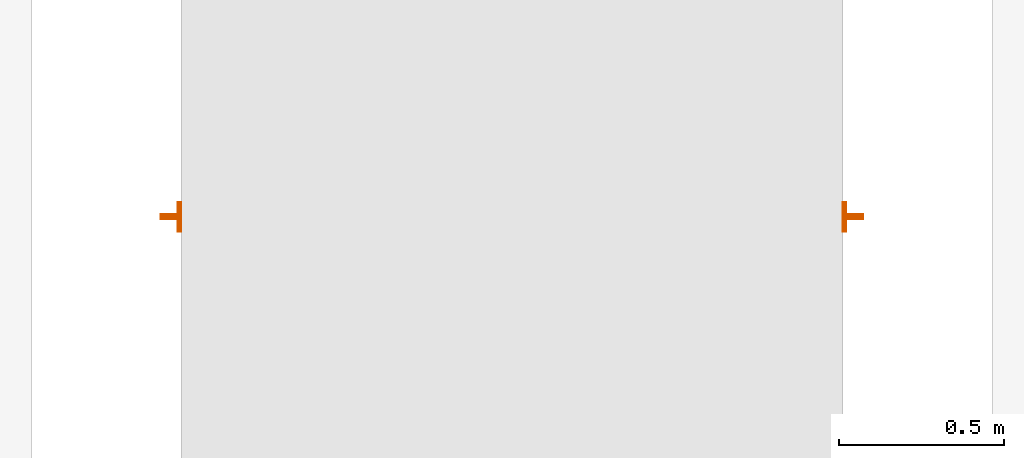
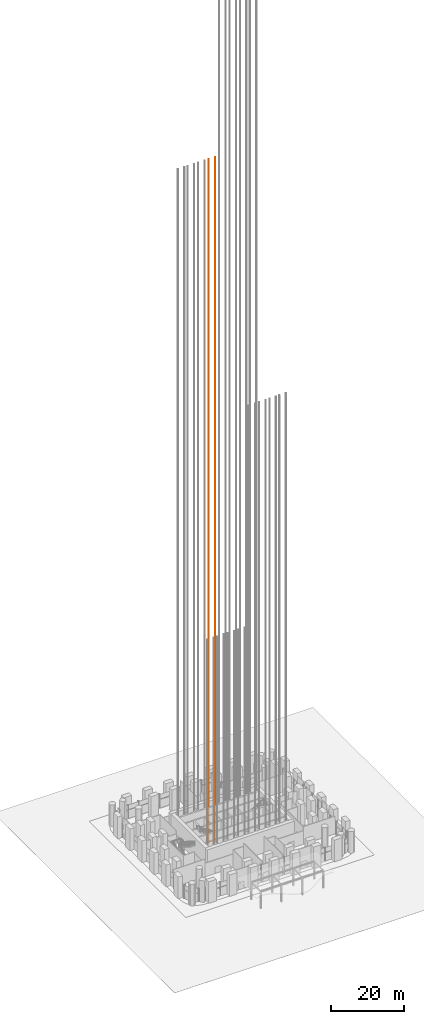
# One storey, part 28 of 32: 1 proxy.
"""IFC4 building model written with IfcOpenShell, lengths in metres."""

from ifc_helpers import new_model, si_unit, direction, frame, origin, origin_2d, place, context, subcontext, project, spatial, t_section, extrude, material, type_object, element, save


model = new_model("IFC4")

# Units and contexts
model_context = context("Model", 3, precision=1e-05, world=origin(), true_north=direction((0.0, 1.0)))
body_context = subcontext(model_context, "Body", "Model", "MODEL_VIEW")
ifc_project = project(units=[si_unit("LENGTHUNIT", "METRE"), si_unit("AREAUNIT", "SQUARE_METRE"), si_unit("VOLUMEUNIT", "CUBIC_METRE"), si_unit("PLANEANGLEUNIT", "RADIAN"), si_unit("MASSUNIT", "GRAM", prefix="KILO")], contexts=[model_context])

# Site, building, storey
site_placement = place(None, origin())
site = spatial("IfcSite", under=ifc_project, at=site_placement, CompositionType="ELEMENT")
building_placement = place(site_placement, origin())
building = spatial("IfcBuilding", under=site, at=building_placement, Name="Cobogo Forest Laboratory Tower", CompositionType="ELEMENT")
storey_placement = place(building_placement, origin())
storey = spatial("IfcBuildingStorey", under=building, at=storey_placement, Name="L00", CompositionType="ELEMENT", Elevation=0.0)

# Proxy
ifc_material = material(Name="Steel guide rail", Category="steel")
building_element_proxy_type = type_object("IfcBuildingElementProxyType", Name="LR lift guide rails", PredefinedType="USERDEFINED", material=ifc_material)
proxy_placement = place(storey_placement, frame((24.75, 31.0, 0.0)))
element("IfcBuildingElementProxy", 1, at=proxy_placement, inside=storey, type_object=building_element_proxy_type, Name="LC4 guide rails", ObjectType="LIFT GUIDE RAILS", PredefinedType="USERDEFINED", context=body_context, shape_type="SweptSolid", body=[
    extrude(t_section(Depth=0.062, FlangeWidth=0.089, WebThickness=0.0159, FlangeThickness=0.01, at=origin_2d()), frame((-1.031005859375, 0.0, -5.39990234375), z_axis=(0.0, 0.0, 1.0), x_axis=(0.0, -1.0, 0.0)), (0.0, 0.0, 1.0), 227.75),
    extrude(t_section(Depth=0.062, FlangeWidth=0.089, WebThickness=0.0159, FlangeThickness=0.01, at=origin_2d()), frame((1.031005859375, 0.0, -5.39990234375), z_axis=(0.0, 0.0, 1.0), x_axis=(0.0, 1.0, 0.0)), (0.0, 0.0, 1.0), 227.75),
])

save(model, "model.ifc")
